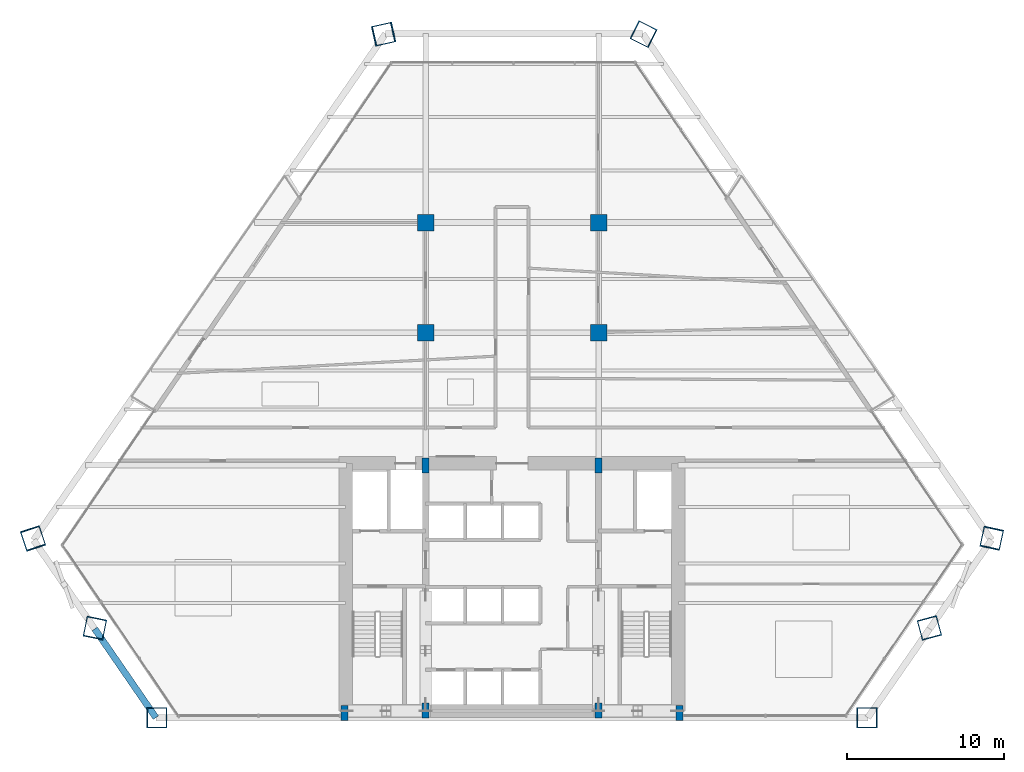
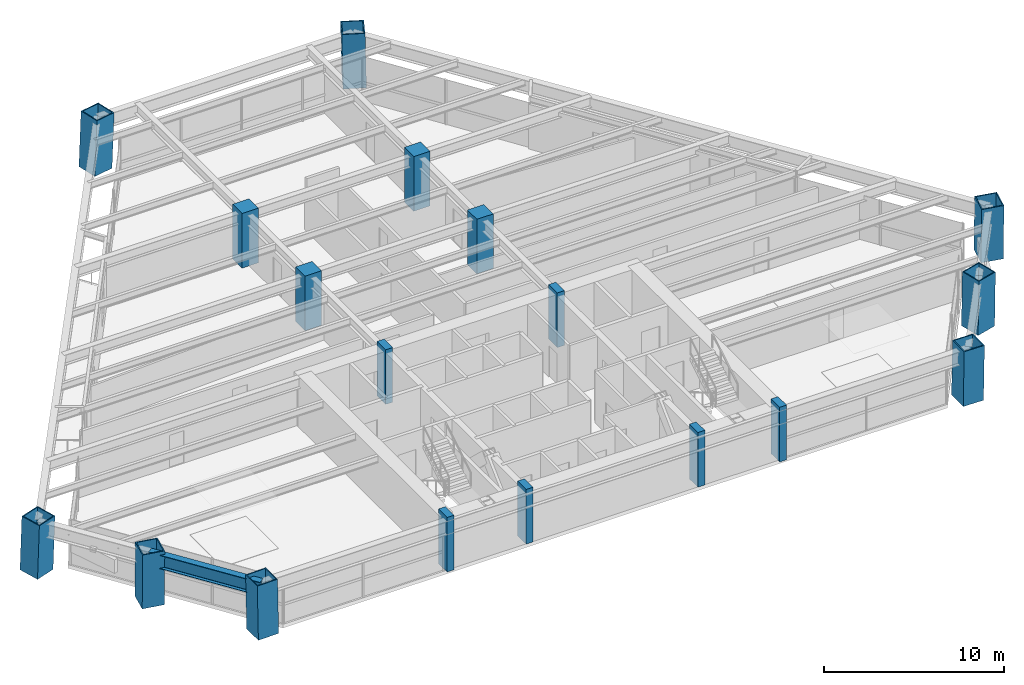
# One storey, part 1 of 14: 18 columns, 1 beam.
"""IFC4 building model written with IfcOpenShell, lengths in metres."""

from ifc_helpers import new_model, si_unit, direction, frame, origin, origin_2d, place, context, subcontext, project, spatial, rectangle, hollow_rectangle, i_section, extrude, source, transform, mapped, material, material_profile, profile_set, type_object, type_shapes, element, save


model = new_model("IFC4")

# Units and contexts
model_context = context("Model", 3, precision=1e-05, world=origin(), true_north=direction((0.0, 1.0)))
body_context = subcontext(model_context, "Body", "Model", "MODEL_VIEW")
ifc_project = project(units=[si_unit("LENGTHUNIT", "METRE"), si_unit("AREAUNIT", "SQUARE_METRE"), si_unit("VOLUMEUNIT", "CUBIC_METRE"), si_unit("PLANEANGLEUNIT", "RADIAN"), si_unit("MASSUNIT", "GRAM", prefix="KILO")], contexts=[model_context])

# Site, building, storey
site_placement = place(None, origin())
site = spatial("IfcSite", under=ifc_project, at=site_placement, CompositionType="ELEMENT")
building_placement = place(site_placement, origin())
building = spatial("IfcBuilding", under=site, at=building_placement, Name="Varnakhor Terracotta Tower", CompositionType="ELEMENT")
storey_placement = place(building_placement, frame((0.0, 0.0, 34.89990234375)))
storey = spatial("IfcBuildingStorey", under=building, at=storey_placement, Name="L07", CompositionType="ELEMENT", Elevation=34.89990234375)

# Columns
ifc_material_1 = material(Name="Concrete C50/60", Category="concrete")
ifc_material_profile_1 = material_profile(ifc_material_1, rectangle(XDim=0.449951171875, YDim=0.949951171875, at=origin_2d()), Name="RC PILASTER 950x450")
ifc_profile_set_1 = profile_set([ifc_material_profile_1], Name="Concrete C50/60")
column_type_1 = type_object("IfcColumnType", Name="COL-PIL-950x450", PredefinedType="PILASTER", material=ifc_profile_set_1)
shared_shape_1 = source(origin(), body_context, "Body", "SweptSolid", [
    extrude(rectangle(XDim=0.449951171875, YDim=0.949951171875, at=origin_2d()), origin(), (0.0, 0.0, 1.0), 3.7001953125),
])
for number, where, z_axis, x_axis, name in (
    (1, (-10.64990234375, 0.300048828125, 0.0), (0.0, 0.0, 1.0), (1.0, 0.0, 0.0), "L07 Core Pilaster CP1"),
    (2, (-5.5, 0.449951171875, 0.0), (0.0, 0.0, 1.0), (1.0, 0.0, 0.0), "L07 Core Pilaster CP2"),
    (3, (5.5, 0.449951171875, 0.0), (0.0, 0.0, 1.0), (1.0, 0.0, 0.0), "L07 Core Pilaster CP3"),
    (4, (10.64990234375, 0.300048828125, 0.0), (0.0, 0.0, 1.0), (1.0, 0.0, 0.0), "L07 Core Pilaster CP4"),
    (5, (-5.5, 16.050048828125, 0.0), (0.0, 0.0, 1.0), (1.0, 0.0, 0.0), "L07 Core Pilaster CP5"),
    (6, (5.5, 16.050048828125, 0.0), (0.0, 0.0, 1.0), (1.0, 0.0, 0.0), "L07 Core Pilaster CP6"),
):
    element("IfcColumn", number, at=place(storey_placement, frame(where, z_axis=z_axis, x_axis=x_axis)), inside=storey, type_object=column_type_1, Name=name, PredefinedType="PILASTER", context=body_context, shape_type="MappedRepresentation", body=[
        mapped(shared_shape_1, transform((0.0, 0.0, 0.0), scale=1.0)),
    ])
ifc_material_2 = material(Name="Steel S460", Category="steel")
ifc_material_profile_2 = material_profile(ifc_material_2, hollow_rectangle(XDim=1.300048828125, YDim=1.300048828125, WallThickness=0.06494140625, at=origin_2d()), Name="BOX 1300x1300x65")
ifc_profile_set_2 = profile_set([ifc_material_profile_2], Name="Steel S460")
column_type_2 = type_object("IfcColumnType", Name="COL-MEGA-1300", PredefinedType="COLUMN", material=ifc_profile_set_2)
shared_shape_2 = source(origin(), body_context, "Body", "SweptSolid", [
    extrude(hollow_rectangle(XDim=1.300048828125, YDim=1.300048828125, WallThickness=0.06494140625, at=origin_2d()), origin(), (0.0, 0.0, 1.0), 3.69189453125),
])
type_shapes(column_type_2, [shared_shape_2])
for number, where, z_axis, x_axis, name in (
    (7, (22.57080078125, 0.0, 0.00439453125), (0.016532131861, 0.0, 0.999863334969), (0.0, 1.0, 0.0), "L07 Perimeter Mega-Column M2"),
    (8, (26.546142578125, 5.71826171875, 0.00439453125), (0.004562795705, -0.016862505868, 0.999847406753), (0.965286044278, 0.261195047275, 0.0), "L07 Perimeter Mega-Column M3"),
    (9, (-26.5380859375, 5.711181640625, 0.00439453125), (-0.003636966539, -0.017788072709, 0.999835164887), (0.979731180479, -0.200316784113, 0.0), "L07 Perimeter Mega-Column M8"),
):
    element("IfcColumn", number, at=place(storey_placement, frame(where, z_axis=z_axis, x_axis=x_axis)), inside=storey, type_object=column_type_2, Name=name, PredefinedType="COLUMN", context=body_context, shape_type="MappedRepresentation", body=[
        mapped(shared_shape_2, transform((0.0, 0.0, 0.0), scale=1.0)),
    ])
shared_shape_3 = source(origin(), body_context, "Body", "SweptSolid", [
    extrude(hollow_rectangle(XDim=1.300048828125, YDim=1.300048828125, WallThickness=0.06494140625, at=origin_2d()), origin(), (0.0, 0.0, 1.0), 3.692138671875),
])
for number, where, z_axis, x_axis, name in (
    (10, (-22.590576171875, 0.0, 0.00439453125), (-0.019110266101, 0.0, 0.99981738219), (0.0, -1.0, 0.0), "L07 Perimeter Mega-Column M1"),
    (11, (8.373779296875, 43.47802734375, 0.00439453125), (-0.018845016247, 0.009455569556, 0.999777704076), (-0.448467610504, -0.893799083871, 0.0), "L07 Perimeter Mega-Column M5"),
):
    element("IfcColumn", number, at=place(storey_placement, frame(where, z_axis=z_axis, x_axis=x_axis)), inside=storey, type_object=column_type_2, Name=name, PredefinedType="COLUMN", context=body_context, shape_type="MappedRepresentation", body=[
        mapped(shared_shape_3, transform((0.0, 0.0, 0.0), scale=1.0)),
    ])
shared_shape_4 = source(origin(), body_context, "Body", "SweptSolid", [
    extrude(hollow_rectangle(XDim=1.300048828125, YDim=1.300048828125, WallThickness=0.06494140625, at=origin_2d()), origin(), (0.0, 0.0, 1.0), 3.693603515625),
])
column_1_placement = place(storey_placement, frame((30.521484375, 11.4365234375, 0.00439453125), z_axis=(-0.007336899752, -0.033710079943, 0.999404723029), x_axis=(0.977124459417, -0.212668264697, 0.0)))
element("IfcColumn", 12, at=column_1_placement, inside=storey, type_object=column_type_2, Name="L07 Perimeter Mega-Column M4", PredefinedType="COLUMN", context=body_context, shape_type="MappedRepresentation", body=[
    mapped(shared_shape_4, transform((0.0, 0.0, 0.0), scale=1.0)),
])
shared_shape_5 = source(origin(), body_context, "Body", "SweptSolid", [
    extrude(hollow_rectangle(XDim=1.300048828125, YDim=1.300048828125, WallThickness=0.06494140625, at=origin_2d()), origin(), (0.0, 0.0, 1.0), 3.69482421875),
])
column_2_placement = place(storey_placement, frame((-8.201171875, 43.47802734375, 0.00439453125), z_axis=(0.042024452987, 0.009448894304, 0.99907190119), x_axis=(-0.219366181552, 0.975642597672, 0.0)))
element("IfcColumn", 13, at=column_2_placement, inside=storey, type_object=column_type_2, Name="L07 Perimeter Mega-Column M6", PredefinedType="COLUMN", context=body_context, shape_type="MappedRepresentation", body=[
    mapped(shared_shape_5, transform((0.0, 0.0, 0.0), scale=1.0)),
])
shared_shape_6 = source(origin(), body_context, "Body", "SweptSolid", [
    extrude(hollow_rectangle(XDim=1.300048828125, YDim=1.300048828125, WallThickness=0.06494140625, at=origin_2d()), origin(), (0.0, 0.0, 1.0), 3.694091796875),
])
column_3_placement = place(storey_placement, frame((-30.485595703125, 11.42236328125, 0.00439453125), z_axis=(0.011830309178, -0.035557018647, 0.999297624439), x_axis=(0.948859518444, 0.315698613014, 0.0)))
element("IfcColumn", 14, at=column_3_placement, inside=storey, type_object=column_type_2, Name="L07 Perimeter Mega-Column M7", PredefinedType="COLUMN", context=body_context, shape_type="MappedRepresentation", body=[
    mapped(shared_shape_6, transform((0.0, 0.0, 0.0), scale=1.0)),
])
ifc_material_3 = material(Name="Concrete C60/75", Category="concrete")
ifc_material_profile_3 = material_profile(ifc_material_3, rectangle(XDim=1.050048828125, YDim=1.050048828125, at=origin_2d()), Name="RC 1050x1050")
ifc_profile_set_3 = profile_set([ifc_material_profile_3], Name="Concrete C60/75")
column_type_3 = type_object("IfcColumnType", Name="COL-RC-1050", PredefinedType="COLUMN", material=ifc_profile_set_3)
shared_shape_7 = source(origin(), body_context, "Body", "SweptSolid", [
    extrude(rectangle(XDim=1.050048828125, YDim=1.050048828125, at=origin_2d()), origin(), (0.0, 0.0, 1.0), 3.7001953125),
])
for number, where, z_axis, x_axis, name in (
    (15, (-5.5, 24.5, 0.0), (0.0, 0.0, 1.0), (1.0, 0.0, 0.0), "L07 Interior Tower Column IC1"),
    (16, (5.5, 24.5, 0.0), (0.0, 0.0, 1.0), (1.0, 0.0, 0.0), "L07 Interior Tower Column IC2"),
    (17, (-5.5, 31.5, 0.0), (0.0, 0.0, 1.0), (1.0, 0.0, 0.0), "L07 Interior Tower Column IC3"),
    (18, (5.5, 31.5, 0.0), (0.0, 0.0, 1.0), (1.0, 0.0, 0.0), "L07 Interior Tower Column IC4"),
):
    element("IfcColumn", number, at=place(storey_placement, frame(where, z_axis=z_axis, x_axis=x_axis)), inside=storey, type_object=column_type_3, Name=name, PredefinedType="COLUMN", context=body_context, shape_type="MappedRepresentation", body=[
        mapped(shared_shape_7, transform((0.0, 0.0, 0.0), scale=1.0)),
    ])

# Beam
ifc_material_4 = material(Name="Steel S355", Category="steel")
ifc_material_profile_4 = material_profile(ifc_material_4, i_section(OverallWidth=0.41796875, OverallDepth=0.927001953125, WebThickness=0.01904296875, FlangeThickness=0.031982421875, FilletRadius=0.01806640625, at=origin_2d()), Name="W36X231")
ifc_profile_set_4 = profile_set([ifc_material_profile_4], Name="Steel S355")
beam_type = type_object("IfcBeamType", Name="BM-W36X231", PredefinedType="BEAM", material=ifc_profile_set_4)
shared_shape_8 = source(origin(), body_context, "Body", "SweptSolid", [
    extrude(i_section(OverallWidth=0.41796875, OverallDepth=0.927001953125, WebThickness=0.01904296875, FlangeThickness=0.031982421875, FilletRadius=0.01806640625, at=origin_2d()), origin(), (0.0, 0.0, 1.0), 6.856201171875),
])
beam_placement = place(storey_placement, frame((-26.551513671875, 5.6455078125, 2.986572265625), z_axis=(0.567429193458, -0.82342219451, 0.0), x_axis=(0.82342219451, 0.567429193458, 0.0)))
element("IfcBeam", 19, at=beam_placement, inside=storey, type_object=beam_type, Name="L07 Perimeter Spandrel 8", PredefinedType="BEAM", context=body_context, shape_type="MappedRepresentation", body=[
    mapped(shared_shape_8, transform((0.0, 0.0, 0.0), scale=1.0)),
])

save(model, "model.ifc")
